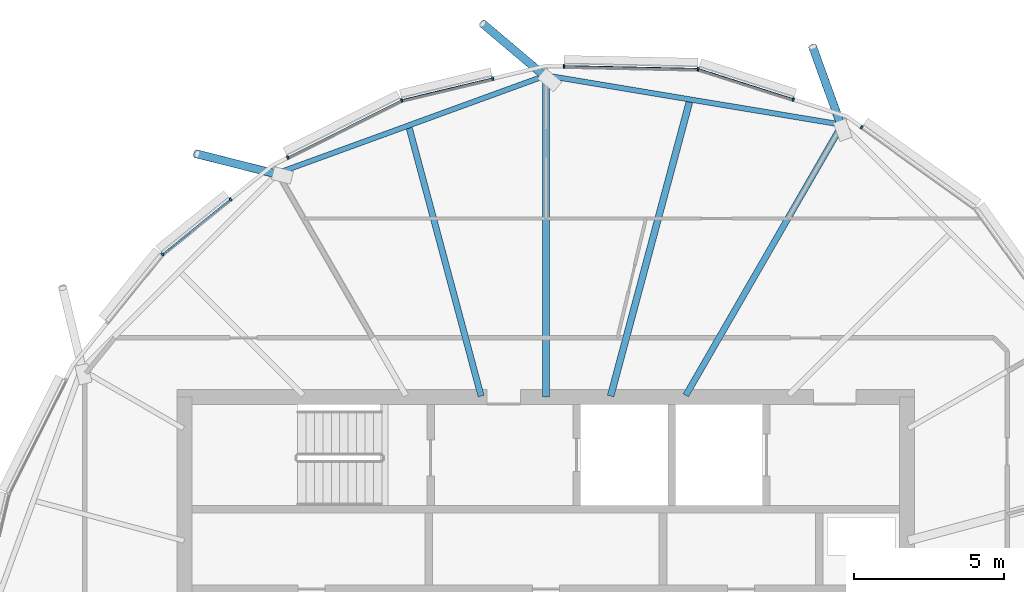
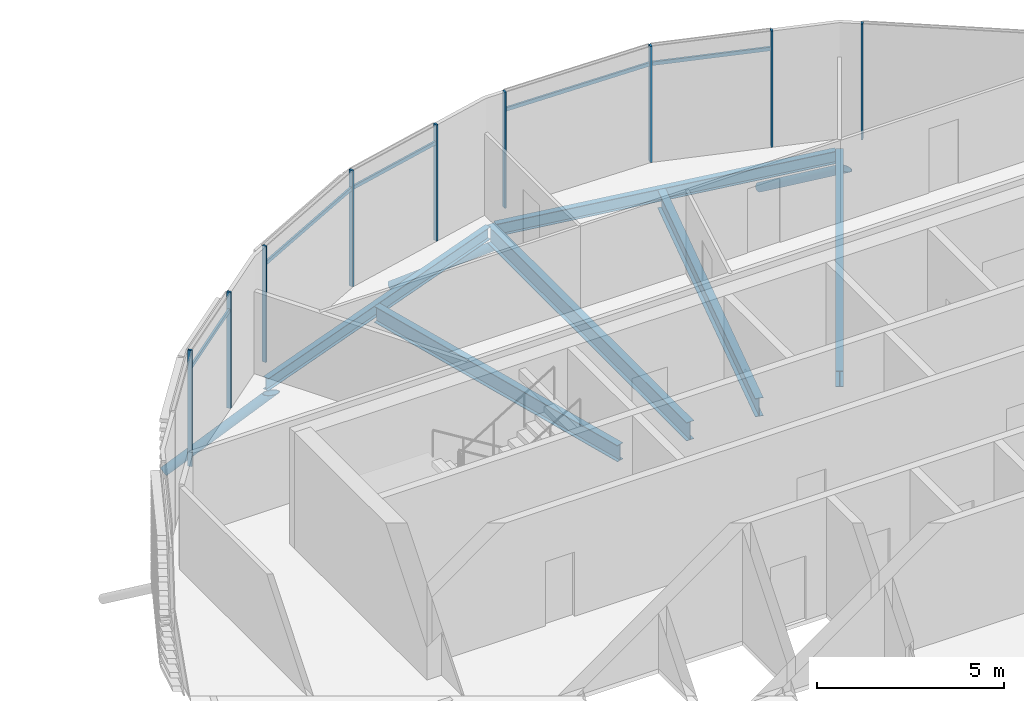
# One storey, part 13 of 34: 17 members, 6 beams, 1 element without a shape of its own.
"""IFC4 building model written with IfcOpenShell, lengths in metres."""

from ifc_helpers import new_model, si_unit, direction, frame, origin, origin_2d, place, context, subcontext, project, spatial, rectangle, hollow_circle, i_section, extrude, clip, halfspace, material, material_profile, profile_set, type_object, element, aggregate, save


model = new_model("IFC4")

# Units and contexts
model_context = context("Model", 3, precision=1e-05, world=origin(), true_north=direction((0.0, 1.0)))
body_context = subcontext(model_context, "Body", "Model", "MODEL_VIEW")
ifc_project = project(units=[si_unit("LENGTHUNIT", "METRE"), si_unit("AREAUNIT", "SQUARE_METRE"), si_unit("VOLUMEUNIT", "CUBIC_METRE"), si_unit("PLANEANGLEUNIT", "RADIAN"), si_unit("MASSUNIT", "GRAM", prefix="KILO")], contexts=[model_context])

# Site, building, storey
site_placement = place(None, origin())
site = spatial("IfcSite", under=ifc_project, at=site_placement, CompositionType="ELEMENT")
building_placement = place(site_placement, origin())
building = spatial("IfcBuilding", under=site, at=building_placement, Name="Rimbun Link Towers", CompositionType="ELEMENT")
storey_placement = place(building_placement, frame((0.0, 0.0, 252.300048828125)))
storey = spatial("IfcBuildingStorey", under=building, at=storey_placement, Name="L62", CompositionType="ELEMENT", Elevation=252.300048828125)

# Curtain wall, members
ifc_material_1 = material(Name="Aluminium 6063-T6 and low-iron glass", Category="aluminium")
curtain_wall_type = type_object("IfcCurtainWallType", Name="CW1-Z4 unitised vision wall (zone 4)", PredefinedType="NOTDEFINED", material=ifc_material_1)
curtain_wall_placement = place(storey_placement, origin())
curtain_wall = element("IfcCurtainWall", 1, at=curtain_wall_placement, inside=storey, type_object=curtain_wall_type, Name="CW1 L62 T2", PredefinedType="NOTDEFINED")
ifc_material_2 = material(Name="Aluminium 6063-T6", Category="aluminium")
ifc_material_profile_1 = material_profile(ifc_material_2, rectangle(XDim=0.1201171875, YDim=0.06005859375, at=origin_2d()), Name="MULLION 60X120")
ifc_profile_set_1 = profile_set([ifc_material_profile_1], Name="Aluminium 6063-T6")
member_type_1 = type_object("IfcMemberType", Name="CW1 mullion 60X120", PredefinedType="MULLION", material=ifc_profile_set_1)
member_1_placement = place(storey_placement, frame((42.24169921875, 16.96630859375, 0.0), z_axis=(0.0, 0.0, 1.0), x_axis=(0.583009413827, 0.812465398272, 0.0)))
member_1 = element("IfcMember", 2, at=member_1_placement, type_object=member_type_1, Name="CW1 mullion", PredefinedType="MULLION", context=body_context, shape_type="SweptSolid", body=[
    extrude(rectangle(XDim=0.1201171875, YDim=0.06005859375, at=origin_2d()), origin(), (0.0, 0.0, 1.0), 3.800048828125),
])
member_2_placement = place(storey_placement, frame((36.80615234375, 18.89208984375, 0.0), z_axis=(0.0, 0.0, 1.0), x_axis=(0.163742013886, 0.986503194566, 0.0)))
member_2 = element("IfcMember", 3, at=member_2_placement, type_object=member_type_1, Name="CW1 mullion", PredefinedType="MULLION", context=body_context, shape_type="SweptSolid", body=[
    extrude(rectangle(XDim=0.1201171875, YDim=0.06005859375, at=origin_2d()), origin(), (0.0, 0.0, 1.0), 3.800048828125),
])
member_3_placement = place(storey_placement, frame((39.974365234375, 17.88525390625, 0.0), z_axis=(0.0, 0.0, 1.0), x_axis=(0.303061432375, 0.952971021704, 0.0)))
member_3 = element("IfcMember", 4, at=member_3_placement, type_object=member_type_1, Name="CW1 mullion", PredefinedType="MULLION", context=body_context, shape_type="SweptSolid", body=[
    extrude(rectangle(XDim=0.1201171875, YDim=0.06005859375, at=origin_2d()), origin(), (0.0, 0.0, 1.0), 3.800048828125),
])
member_4_placement = place(storey_placement, frame((32.35107421875, 18.986572265625, 0.0), z_axis=(0.0, 0.0, 1.0), x_axis=(0.021060266635, 0.999778207989, 0.0)))
member_4 = element("IfcMember", 5, at=member_4_placement, type_object=member_type_1, Name="CW1 mullion", PredefinedType="MULLION", context=body_context, shape_type="SweptSolid", body=[
    extrude(rectangle(XDim=0.1201171875, YDim=0.06005859375, at=origin_2d()), origin(), (0.0, 0.0, 1.0), 3.800048828125),
])
member_5_placement = place(storey_placement, frame((26.960205078125, 17.85498046875, 0.0), z_axis=(0.0, 0.0, 1.0), x_axis=(-0.342965326709, 0.939348063646, 0.0)))
member_5 = element("IfcMember", 6, at=member_5_placement, type_object=member_type_1, Name="CW1 mullion", PredefinedType="MULLION", context=body_context, shape_type="SweptSolid", body=[
    extrude(rectangle(XDim=0.1201171875, YDim=0.06005859375, at=origin_2d()), origin(), (0.0, 0.0, 1.0), 3.800048828125),
])
member_6_placement = place(storey_placement, frame((29.9853515625, 18.578857421875, 0.0), z_axis=(0.0, 0.0, 1.0), x_axis=(-0.232604664363, 0.972571370192, 0.0)))
member_6 = element("IfcMember", 7, at=member_6_placement, type_object=member_type_1, Name="CW1 mullion", PredefinedType="MULLION", context=body_context, shape_type="SweptSolid", body=[
    extrude(rectangle(XDim=0.1201171875, YDim=0.06005859375, at=origin_2d()), origin(), (0.0, 0.0, 1.0), 3.800048828125),
])
member_7_placement = place(storey_placement, frame((23.17626953125, 15.955078125, 0.0), z_axis=(0.0, 0.0, 1.0), x_axis=(-0.4487702901, 0.893647148893, 0.0)))
member_7 = element("IfcMember", 8, at=member_7_placement, type_object=member_type_1, Name="CW1 mullion", PredefinedType="MULLION", context=body_context, shape_type="SweptSolid", body=[
    extrude(rectangle(XDim=0.1201171875, YDim=0.06005859375, at=origin_2d()), origin(), (0.0, 0.0, 1.0), 3.800048828125),
])
member_8_placement = place(storey_placement, frame((19.0126953125, 12.7373046875, 0.0), z_axis=(0.0, 0.0, 1.0), x_axis=(-0.707106781187, 0.707106781187, 0.0)))
member_8 = element("IfcMember", 9, at=member_8_placement, type_object=member_type_1, Name="CW1 mullion", PredefinedType="MULLION", context=body_context, shape_type="SweptSolid", body=[
    extrude(rectangle(XDim=0.1201171875, YDim=0.06005859375, at=origin_2d()), origin(), (0.0, 0.0, 1.0), 3.800048828125),
])
member_9_placement = place(storey_placement, frame((21.27490234375, 14.56884765625, 0.0), z_axis=(0.0, 0.0, 1.0), x_axis=(-0.629159092045, 0.777276551105, 0.0)))
member_9 = element("IfcMember", 10, at=member_9_placement, type_object=member_type_1, Name="CW1 mullion", PredefinedType="MULLION", context=body_context, shape_type="SweptSolid", body=[
    extrude(rectangle(XDim=0.1201171875, YDim=0.06005859375, at=origin_2d()), origin(), (0.0, 0.0, 1.0), 3.800048828125),
])
ifc_material_3 = material(Name="Aluminium 6063-T6", Category="aluminium")
ifc_material_profile_2 = material_profile(ifc_material_3, rectangle(XDim=0.06005859375, YDim=0.1201171875, at=origin_2d()), Name="TRANSOM 60X120")
ifc_profile_set_2 = profile_set([ifc_material_profile_2], Name="Aluminium 6063-T6")
member_type_2 = type_object("IfcMemberType", Name="CW1 transom 60X120", PredefinedType="USERDEFINED", material=ifc_profile_set_2)
member_10_placement = place(storey_placement, frame((36.842529296875, 18.879150390625, 3.199951171875), z_axis=(0.952964178506, -0.30308294984, 0.0), x_axis=(0.30308294984, 0.952964178506, 0.0)))
member_10 = element("IfcMember", 11, at=member_10_placement, type_object=member_type_2, Name="CW1 transom", ObjectType="TRANSOM", PredefinedType="USERDEFINED", context=body_context, shape_type="SweptSolid", body=[
    extrude(rectangle(XDim=0.06005859375, YDim=0.1201171875, at=origin_2d()), origin(), (0.0, 0.0, 1.0), 3.255859375),
])
member_11_placement = place(storey_placement, frame((32.381103515625, 18.98388671875, 3.199951171875), z_axis=(0.999778762712, -0.021033916197, 0.0), x_axis=(0.021033916197, 0.999778762712, 0.0)))
member_11 = element("IfcMember", 12, at=member_11_placement, type_object=member_type_2, Name="CW1 transom", ObjectType="TRANSOM", PredefinedType="USERDEFINED", context=body_context, shape_type="SweptSolid", body=[
    extrude(rectangle(XDim=0.06005859375, YDim=0.1201171875, at=origin_2d()), origin(), (0.0, 0.0, 1.0), 4.387451171875),
])
member_12_placement = place(storey_placement, frame((26.99658203125, 17.862060546875, 3.199951171875), z_axis=(0.972587174135, 0.232538574665, 0.0), x_axis=(-0.232538574665, 0.972587174135, 0.0)))
member_12 = element("IfcMember", 13, at=member_12_placement, type_object=member_type_2, Name="CW1 transom", ObjectType="TRANSOM", PredefinedType="USERDEFINED", context=body_context, shape_type="SweptSolid", body=[
    extrude(rectangle(XDim=0.06005859375, YDim=0.1201171875, at=origin_2d()), origin(), (0.0, 0.0, 1.0), 3.043701171875),
])
member_13_placement = place(storey_placement, frame((23.2041015625, 15.966796875, 3.199951171875), z_axis=(0.893640735388, 0.448783061239, 0.0), x_axis=(-0.448783061239, 0.893640735388, 0.0)))
member_13 = element("IfcMember", 14, at=member_13_placement, type_object=member_type_2, Name="CW1 transom", ObjectType="TRANSOM", PredefinedType="USERDEFINED", context=body_context, shape_type="SweptSolid", body=[
    extrude(rectangle(XDim=0.06005859375, YDim=0.1201171875, at=origin_2d()), origin(), (0.0, 0.0, 1.0), 4.1669921875),
])
member_14_placement = place(storey_placement, frame((19.0419921875, 12.7587890625, 3.199951171875), z_axis=(0.777254865339, 0.629185882158, 0.0), x_axis=(-0.629185882158, 0.777254865339, 0.0)))
member_14 = element("IfcMember", 15, at=member_14_placement, type_object=member_type_2, Name="CW1 transom", ObjectType="TRANSOM", PredefinedType="USERDEFINED", context=body_context, shape_type="SweptSolid", body=[
    extrude(rectangle(XDim=0.06005859375, YDim=0.1201171875, at=origin_2d()), origin(), (0.0, 0.0, 1.0), 2.84423828125),
])
aggregate(curtain_wall, [member_1, member_2, member_3, member_4, member_5, member_6, member_7, member_8, member_9, member_10, member_11, member_12, member_13, member_14])

# Members
ifc_material_4 = material(Name="Steel S355J2H", Category="steel")
ifc_material_profile_3 = material_profile(ifc_material_4, hollow_circle(Radius=0.136474609375, WallThickness=0.012451171875, at=origin_2d()), Name="CHS 273x12.5")
ifc_profile_set_3 = profile_set([ifc_material_profile_3], Name="Steel S355J2H")
member_type_3 = type_object("IfcMemberType", Name="Floor edge link CHS 273x12.5", PredefinedType="BRACE", material=ifc_profile_set_3)
member_15_placement = place(storey_placement, frame((41.56640625, 17.00244140625, -0.787109375), z_axis=(-0.284028333448, 0.785284669624, -0.550141703066), x_axis=(-0.940380363295, -0.340124642344, 0.0)))
element("IfcMember", 16, at=member_15_placement, inside=storey, type_object=member_type_3, Name="Floor edge link T2 L62 01", PredefinedType="BRACE", context=body_context, shape_type="Clipping", body=[
    clip(extrude(hollow_circle(Radius=0.136474609375, WallThickness=0.012451171875, at=origin_2d()), frame((0.0, 0.0, -0.4326171875)), (0.0, 0.0, 1.0), 3.798583984375), halfspace(frame((0.0, 0.0, -0.20361328125), z_axis=(0.0, 0.83507131824, -0.550141703066)), False)),
])
member_16_placement = place(storey_placement, frame((31.75, 18.632080078125, -0.860107421875), z_axis=(-0.658082895616, 0.555438423593, -0.508345414157), x_axis=(-0.644993694366, -0.764187891967, 0.0)))
element("IfcMember", 17, at=member_16_placement, inside=storey, type_object=member_type_3, Name="Floor edge link T2 L62 03", PredefinedType="BRACE", context=body_context, shape_type="Clipping", body=[
    clip(extrude(hollow_circle(Radius=0.136474609375, WallThickness=0.012451171875, at=origin_2d()), frame((0.0, 0.0, -0.482177734375)), (0.0, 0.0, 1.0), 3.68603515625), halfspace(frame((0.0, 0.0, -0.22705078125), z_axis=(0.0, 0.861153261566, -0.508345414157)), False)),
])
member_17_placement = place(storey_placement, frame((22.86328125, 15.39208984375, -0.706787109375), z_axis=(-0.804420981947, 0.202808463666, -0.55836870513), x_axis=(-0.244467451784, -0.96965749882, 0.0)))
element("IfcMember", 18, at=member_17_placement, inside=storey, type_object=member_type_3, Name="Floor edge link T2 L62 05", PredefinedType="BRACE", context=body_context, shape_type="Clipping", body=[
    clip(extrude(hollow_circle(Radius=0.136474609375, WallThickness=0.012451171875, at=origin_2d()), frame((0.0, 0.0, -0.423583984375)), (0.0, 0.0, 1.0), 3.827880859375), halfspace(frame((0.0, 0.0, -0.199462890625), z_axis=(0.0, 0.829592905666, -0.55836870513)), False)),
])

# Beams
ifc_material_5 = material(Name="Steel S355J2", Category="steel")
ifc_material_profile_4 = material_profile(ifc_material_5, i_section(OverallWidth=0.177978515625, OverallDepth=0.406494140625, WebThickness=0.0078125, FlangeThickness=0.0126953125, at=origin_2d()), Name="UB 406x178x60")
ifc_profile_set_4 = profile_set([ifc_material_profile_4], Name="Steel S355J2")
beam_type_1 = type_object("IfcBeamType", Name="UB 406x178x60", PredefinedType="BEAM", material=ifc_profile_set_4)
beam_1_placement = place(storey_placement, frame((41.47998046875, 17.064208984375, -0.34326171875), z_axis=(-0.986454781462, 0.164033423822, 0.0), x_axis=(-0.164033423822, -0.986454781462, 0.0)))
element("IfcBeam", 19, at=beam_1_placement, inside=storey, type_object=beam_type_1, Name="Edge beam T2 L62 01-03", PredefinedType="BEAM", context=body_context, shape_type="SweptSolid", body=[
    extrude(i_section(OverallWidth=0.177978515625, OverallDepth=0.406494140625, WebThickness=0.0078125, FlangeThickness=0.0126953125, at=origin_2d()), origin(), (0.0, 0.0, 1.0), 9.747314453125),
])
beam_2_placement = place(storey_placement, frame((31.63525390625, 18.640380859375, -0.34326171875), z_axis=(-0.939594773088, -0.342288858108, 0.0), x_axis=(0.342288858108, -0.939594773088, 0.0)))
element("IfcBeam", 20, at=beam_2_placement, inside=storey, type_object=beam_type_1, Name="Edge beam T2 L62 03-05", PredefinedType="BEAM", context=body_context, shape_type="SweptSolid", body=[
    extrude(i_section(OverallWidth=0.177978515625, OverallDepth=0.406494140625, WebThickness=0.0078125, FlangeThickness=0.0126953125, at=origin_2d()), origin(), (0.0, 0.0, 1.0), 9.26513671875),
])
ifc_material_6 = material(Name="Steel S355J2", Category="steel")
ifc_material_profile_5 = material_profile(ifc_material_6, i_section(OverallWidth=0.209228515625, OverallDepth=0.533203125, WebThickness=0.010009765625, FlangeThickness=0.015625, at=origin_2d()), Name="UB 533x210x92")
ifc_profile_set_5 = profile_set([ifc_material_profile_5], Name="Steel S355J2")
beam_type_2 = type_object("IfcBeamType", Name="UB 533x210x92", PredefinedType="BEAM", material=ifc_profile_set_5)
beam_3_placement = place(storey_placement, frame((36.3994140625, 8.05322265625, -0.406494140625), z_axis=(0.50000806818, 0.866020745569, 0.0), x_axis=(-0.866020745569, 0.50000806818, 0.0)))
element("IfcBeam", 21, at=beam_3_placement, inside=storey, type_object=beam_type_2, Name="Radial beam T2 L62 01", PredefinedType="BEAM", context=body_context, shape_type="SweptSolid", body=[
    extrude(i_section(OverallWidth=0.209228515625, OverallDepth=0.533203125, WebThickness=0.010009765625, FlangeThickness=0.015625, at=origin_2d()), origin(), (0.0, 0.0, 1.0), 10.383544921875),
])
beam_4_placement = place(storey_placement, frame((29.598876953125, 8.028076171875, -0.406494140625), z_axis=(-0.25882609299, 0.965923937786, 0.0), x_axis=(-0.965923937786, -0.25882609299, 0.0)))
element("IfcBeam", 22, at=beam_4_placement, inside=storey, type_object=beam_type_2, Name="Radial beam T2 L62 04", PredefinedType="BEAM", context=body_context, shape_type="SweptSolid", body=[
    extrude(i_section(OverallWidth=0.209228515625, OverallDepth=0.533203125, WebThickness=0.010009765625, FlangeThickness=0.015625, at=origin_2d()), origin(), (0.0, 0.0, 1.0), 9.219482421875),
])
ifc_material_7 = material(Name="Steel S355J2", Category="steel")
ifc_material_profile_6 = material_profile(ifc_material_7, i_section(OverallWidth=0.2275390625, OverallDepth=0.6025390625, WebThickness=0.010498046875, FlangeThickness=0.014892578125, at=origin_2d()), Name="UB 610x229x101")
ifc_profile_set_6 = profile_set([ifc_material_profile_6], Name="Steel S355J2")
beam_type_3 = type_object("IfcBeamType", Name="UB 610x229x101", PredefinedType="BEAM", material=ifc_profile_set_6)
beam_5_placement = place(storey_placement, frame((33.901611328125, 8.030517578125, -0.44140625), z_axis=(0.258816538161, 0.965926498018, 0.0), x_axis=(-0.965926498018, 0.258816538161, 0.0)))
element("IfcBeam", 23, at=beam_5_placement, inside=storey, type_object=beam_type_3, Name="Radial beam T2 L62 02", PredefinedType="BEAM", context=body_context, shape_type="SweptSolid", body=[
    extrude(i_section(OverallWidth=0.2275390625, OverallDepth=0.6025390625, WebThickness=0.010498046875, FlangeThickness=0.014892578125, at=origin_2d()), origin(), (0.0, 0.0, 1.0), 10.112060546875),
])
beam_6_placement = place(storey_placement, frame((31.75, 8.0009765625, -0.44140625), z_axis=(0.0, 1.0, 0.0), x_axis=(-1.0, 0.0, 0.0)))
element("IfcBeam", 24, at=beam_6_placement, inside=storey, type_object=beam_type_3, Name="Radial beam T2 L62 03", PredefinedType="BEAM", context=body_context, shape_type="SweptSolid", body=[
    extrude(i_section(OverallWidth=0.2275390625, OverallDepth=0.6025390625, WebThickness=0.010498046875, FlangeThickness=0.014892578125, at=origin_2d()), origin(), (0.0, 0.0, 1.0), 10.68115234375),
])

save(model, "model.ifc")
